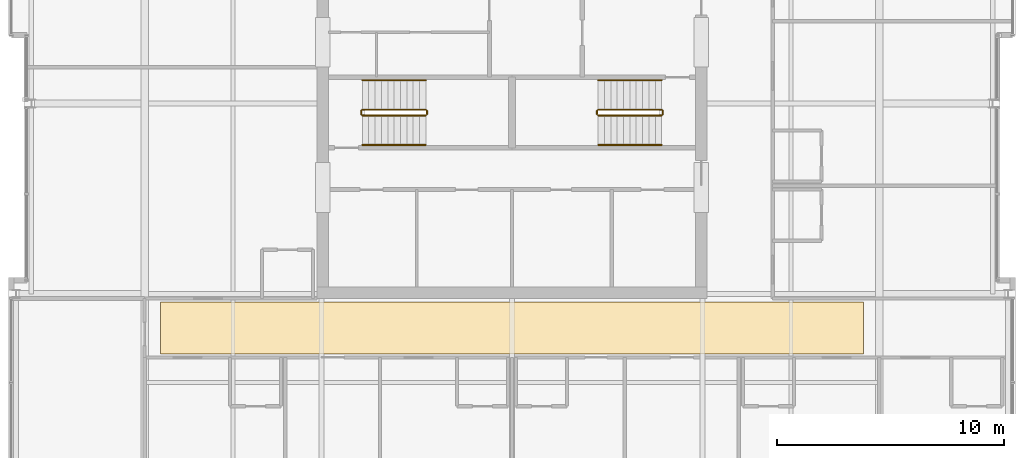
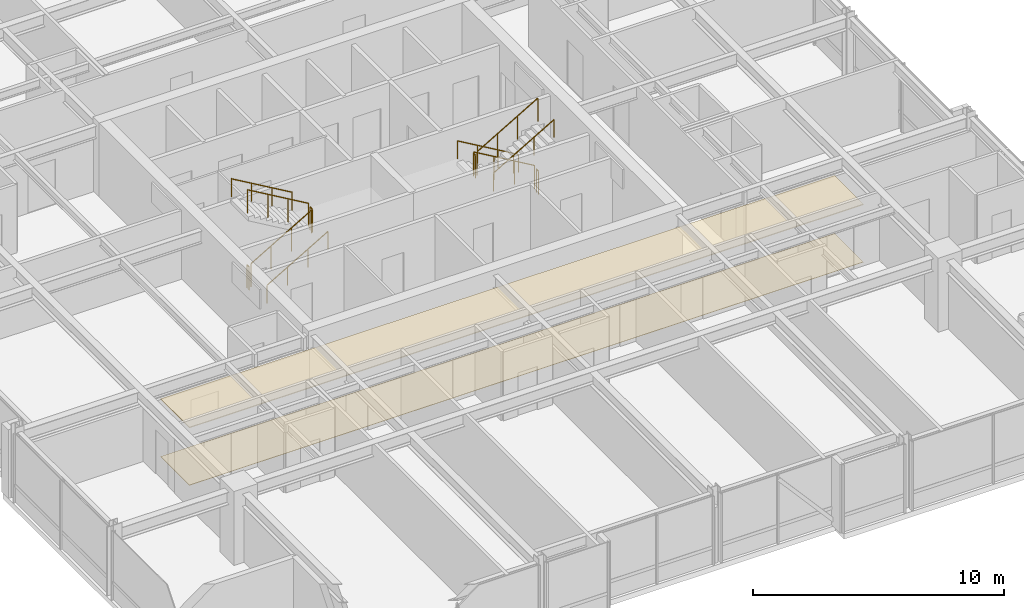
# One storey, part 32 of 33: 12 railings, 2 coverings.
"""IFC4 building model written with IfcOpenShell, lengths in metres."""

from ifc_helpers import new_model, si_unit, direction, frame, origin, origin_2d, place, context, subcontext, project, spatial, polyline, circle, outline, extrude, material, layer, layer_set, type_object, element, save


model = new_model("IFC4")

# Units and contexts
model_context = context("Model", 3, precision=1e-05, world=origin(), true_north=direction((0.0, 1.0)))
body_context = subcontext(model_context, "Body", "Model", "MODEL_VIEW")
ifc_project = project(units=[si_unit("LENGTHUNIT", "METRE"), si_unit("AREAUNIT", "SQUARE_METRE"), si_unit("VOLUMEUNIT", "CUBIC_METRE"), si_unit("PLANEANGLEUNIT", "RADIAN"), si_unit("MASSUNIT", "GRAM", prefix="KILO")], contexts=[model_context])

# Site, building, storey
site_placement = place(None, origin())
site = spatial("IfcSite", under=ifc_project, at=site_placement, CompositionType="ELEMENT")
building_placement = place(site_placement, origin())
building = spatial("IfcBuilding", under=site, at=building_placement, Name="Drelvath Grand Hotel", CompositionType="ELEMENT")
storey_placement = place(building_placement, frame((0.0, 0.0, 248.300048828125)))
storey = spatial("IfcBuildingStorey", under=building, at=storey_placement, Name="L65", CompositionType="ELEMENT", Elevation=248.300048828125)

# Railings
ifc_material_1 = material(Name="Painted Steel S275", Category="steel")
railing_type_1 = type_object("IfcRailingType", Name="Core Stair Wall Handrail 900", PredefinedType="HANDRAIL", material=ifc_material_1)
railing_1_placement = place(storey_placement, frame((-6.60009765625, 25.169921875, 0.16357421875)))
element("IfcRailing", 1, at=railing_1_placement, inside=storey, type_object=railing_type_1, Name="L65 ST-1 stair handrail 1", PredefinedType="HANDRAIL", context=body_context, shape_type="SweptSolid", body=[
    extrude(circle(Radius=0.02392578125, at=origin_2d()), frame((0.0, 0.0, 0.8759765625), z_axis=(0.863360870873, 0.0, 0.504586966384), x_axis=(0.0, 1.0, 0.0)), (0.0, 0.0, 1.0), 3.2431640625),
    extrude(circle(Radius=0.02099609375, at=origin_2d()), origin(), (0.0, 0.0, 1.0), 0.851806640625),
    extrude(circle(Radius=0.02099609375, at=origin_2d()), frame((0.933349609375, 0.0, 0.54541015625)), (0.0, 0.0, 1.0), 0.851806640625),
    extrude(circle(Radius=0.02099609375, at=origin_2d()), frame((1.86669921875, 0.0, 1.091064453125)), (0.0, 0.0, 1.0), 0.851806640625),
    extrude(circle(Radius=0.02099609375, at=origin_2d()), frame((2.800048828125, 0.0, 1.636474609375)), (0.0, 0.0, 1.0), 0.851806640625),
])
railing_2_placement = place(storey_placement, frame((-3.800048828125, 28.030029296875, 1.963623046875)))
element("IfcRailing", 2, at=railing_2_placement, inside=storey, type_object=railing_type_1, Name="L65 ST-1 stair handrail 2", PredefinedType="HANDRAIL", context=body_context, shape_type="SweptSolid", body=[
    extrude(circle(Radius=0.02392578125, at=origin_2d()), frame((0.0, 0.0, 0.8759765625), z_axis=(-0.863393664356, 0.0, 0.504530851732), x_axis=(0.0, -1.0, 0.0)), (0.0, 0.0, 1.0), 3.2431640625),
    extrude(circle(Radius=0.02099609375, at=origin_2d()), origin(), (0.0, 0.0, 1.0), 0.851806640625),
    extrude(circle(Radius=0.02099609375, at=origin_2d()), frame((-0.933349609375, 0.0, 0.54541015625)), (0.0, 0.0, 1.0), 0.851806640625),
    extrude(circle(Radius=0.02099609375, at=origin_2d()), frame((-1.86669921875, 0.0, 1.0908203125)), (0.0, 0.0, 1.0), 0.851806640625),
    extrude(circle(Radius=0.02099609375, at=origin_2d()), frame((-2.800048828125, 0.0, 1.63623046875)), (0.0, 0.0, 1.0), 0.851806640625),
])
railing_3_placement = place(storey_placement, frame((6.60009765625, 28.030029296875, 0.16357421875)))
element("IfcRailing", 3, at=railing_3_placement, inside=storey, type_object=railing_type_1, Name="L65 ST-2 stair handrail 1", PredefinedType="HANDRAIL", context=body_context, shape_type="SweptSolid", body=[
    extrude(circle(Radius=0.02392578125, at=origin_2d()), frame((0.0, 0.0, 0.8759765625), z_axis=(-0.863360870873, 0.0, 0.504586966384), x_axis=(0.0, -1.0, 0.0)), (0.0, 0.0, 1.0), 3.2431640625),
    extrude(circle(Radius=0.02099609375, at=origin_2d()), origin(), (0.0, 0.0, 1.0), 0.851806640625),
    extrude(circle(Radius=0.02099609375, at=origin_2d()), frame((-0.933349609375, 0.0, 0.54541015625)), (0.0, 0.0, 1.0), 0.851806640625),
    extrude(circle(Radius=0.02099609375, at=origin_2d()), frame((-1.86669921875, 0.0, 1.091064453125)), (0.0, 0.0, 1.0), 0.851806640625),
    extrude(circle(Radius=0.02099609375, at=origin_2d()), frame((-2.800048828125, 0.0, 1.636474609375)), (0.0, 0.0, 1.0), 0.851806640625),
])
railing_4_placement = place(storey_placement, frame((3.800048828125, 25.169921875, 1.963623046875)))
element("IfcRailing", 4, at=railing_4_placement, inside=storey, type_object=railing_type_1, Name="L65 ST-2 stair handrail 2", PredefinedType="HANDRAIL", context=body_context, shape_type="SweptSolid", body=[
    extrude(circle(Radius=0.02392578125, at=origin_2d()), frame((0.0, 0.0, 0.8759765625), z_axis=(0.863393664356, 0.0, 0.504530851732), x_axis=(0.0, 1.0, 0.0)), (0.0, 0.0, 1.0), 3.2431640625),
    extrude(circle(Radius=0.02099609375, at=origin_2d()), origin(), (0.0, 0.0, 1.0), 0.851806640625),
    extrude(circle(Radius=0.02099609375, at=origin_2d()), frame((0.933349609375, 0.0, 0.54541015625)), (0.0, 0.0, 1.0), 0.851806640625),
    extrude(circle(Radius=0.02099609375, at=origin_2d()), frame((1.86669921875, 0.0, 1.0908203125)), (0.0, 0.0, 1.0), 0.851806640625),
    extrude(circle(Radius=0.02099609375, at=origin_2d()), frame((2.800048828125, 0.0, 1.63623046875)), (0.0, 0.0, 1.0), 0.851806640625),
])
railing_type_2 = type_object("IfcRailingType", Name="Core Stair Well Guardrail 1100", PredefinedType="GUARDRAIL", material=ifc_material_1)
railing_5_placement = place(storey_placement, frame((-6.60009765625, 26.469970703125, 0.16357421875)))
element("IfcRailing", 5, at=railing_5_placement, inside=storey, type_object=railing_type_2, Name="L65 ST-1 stair guard 1", PredefinedType="GUARDRAIL", context=body_context, shape_type="SweptSolid", body=[
    extrude(circle(Radius=0.02392578125, at=origin_2d()), frame((0.0, 0.0, 1.1259765625), z_axis=(0.863360870873, 0.0, 0.504586966384), x_axis=(0.0, 1.0, 0.0)), (0.0, 0.0, 1.0), 3.2431640625),
    extrude(circle(Radius=0.02099609375, at=origin_2d()), origin(), (0.0, 0.0, 1.0), 1.101806640625),
    extrude(circle(Radius=0.02099609375, at=origin_2d()), frame((0.933349609375, 0.0, 0.54541015625)), (0.0, 0.0, 1.0), 1.101806640625),
    extrude(circle(Radius=0.02099609375, at=origin_2d()), frame((1.86669921875, 0.0, 1.091064453125)), (0.0, 0.0, 1.0), 1.101806640625),
    extrude(circle(Radius=0.02099609375, at=origin_2d()), frame((2.800048828125, 0.0, 1.636474609375)), (0.0, 0.0, 1.0), 1.101806640625),
])
railing_6_placement = place(storey_placement, frame((-3.75, 26.52001953125, 1.800048828125)))
element("IfcRailing", 6, at=railing_6_placement, inside=storey, type_object=railing_type_2, Name="L65 ST-1 stair guard 2", PredefinedType="GUARDRAIL", context=body_context, shape_type="SweptSolid", body=[
    extrude(circle(Radius=0.02392578125, at=origin_2d()), frame((0.0, 0.0, 1.1259765625), z_axis=(0.0, 1.0, 0.0), x_axis=(-1.0, 0.0, 0.0)), (0.0, 0.0, 1.0), 0.159912109375),
    extrude(circle(Radius=0.02099609375, at=origin_2d()), origin(), (0.0, 0.0, 1.0), 1.101806640625),
    extrude(circle(Radius=0.02099609375, at=origin_2d()), frame((0.0, 0.159912109375, 0.0)), (0.0, 0.0, 1.0), 1.101806640625),
])
railing_7_placement = place(storey_placement, frame((-3.800048828125, 26.72998046875, 1.963623046875)))
element("IfcRailing", 7, at=railing_7_placement, inside=storey, type_object=railing_type_2, Name="L65 ST-1 stair guard 3", PredefinedType="GUARDRAIL", context=body_context, shape_type="SweptSolid", body=[
    extrude(circle(Radius=0.02392578125, at=origin_2d()), frame((0.0, 0.0, 1.1259765625), z_axis=(-0.863393664356, 0.0, 0.504530851732), x_axis=(0.0, -1.0, 0.0)), (0.0, 0.0, 1.0), 3.2431640625),
    extrude(circle(Radius=0.02099609375, at=origin_2d()), origin(), (0.0, 0.0, 1.0), 1.101806640625),
    extrude(circle(Radius=0.02099609375, at=origin_2d()), frame((-0.933349609375, 0.0, 0.54541015625)), (0.0, 0.0, 1.0), 1.101806640625),
    extrude(circle(Radius=0.02099609375, at=origin_2d()), frame((-1.86669921875, 0.0, 1.0908203125)), (0.0, 0.0, 1.0), 1.101806640625),
    extrude(circle(Radius=0.02099609375, at=origin_2d()), frame((-2.800048828125, 0.0, 1.63623046875)), (0.0, 0.0, 1.0), 1.101806640625),
])
railing_8_placement = place(storey_placement, frame((-6.64990234375, 26.52001953125, 0.0)))
element("IfcRailing", 8, at=railing_8_placement, inside=storey, type_object=railing_type_2, Name="L65 ST-1 stair guard 4", PredefinedType="GUARDRAIL", context=body_context, shape_type="SweptSolid", body=[
    extrude(circle(Radius=0.02392578125, at=origin_2d()), frame((0.0, 0.0, 1.1259765625), z_axis=(0.0, 1.0, 0.0), x_axis=(-1.0, 0.0, 0.0)), (0.0, 0.0, 1.0), 0.159912109375),
    extrude(circle(Radius=0.02099609375, at=origin_2d()), origin(), (0.0, 0.0, 1.0), 1.101806640625),
    extrude(circle(Radius=0.02099609375, at=origin_2d()), frame((0.0, 0.159912109375, 0.0)), (0.0, 0.0, 1.0), 1.101806640625),
])
railing_9_placement = place(storey_placement, frame((6.60009765625, 26.72998046875, 0.16357421875)))
element("IfcRailing", 9, at=railing_9_placement, inside=storey, type_object=railing_type_2, Name="L65 ST-2 stair guard 1", PredefinedType="GUARDRAIL", context=body_context, shape_type="SweptSolid", body=[
    extrude(circle(Radius=0.02392578125, at=origin_2d()), frame((0.0, 0.0, 1.1259765625), z_axis=(-0.863360870873, 0.0, 0.504586966384), x_axis=(0.0, -1.0, 0.0)), (0.0, 0.0, 1.0), 3.2431640625),
    extrude(circle(Radius=0.02099609375, at=origin_2d()), origin(), (0.0, 0.0, 1.0), 1.101806640625),
    extrude(circle(Radius=0.02099609375, at=origin_2d()), frame((-0.933349609375, 0.0, 0.54541015625)), (0.0, 0.0, 1.0), 1.101806640625),
    extrude(circle(Radius=0.02099609375, at=origin_2d()), frame((-1.86669921875, 0.0, 1.091064453125)), (0.0, 0.0, 1.0), 1.101806640625),
    extrude(circle(Radius=0.02099609375, at=origin_2d()), frame((-2.800048828125, 0.0, 1.636474609375)), (0.0, 0.0, 1.0), 1.101806640625),
])
railing_10_placement = place(storey_placement, frame((3.75, 26.679931640625, 1.800048828125)))
element("IfcRailing", 10, at=railing_10_placement, inside=storey, type_object=railing_type_2, Name="L65 ST-2 stair guard 2", PredefinedType="GUARDRAIL", context=body_context, shape_type="SweptSolid", body=[
    extrude(circle(Radius=0.02392578125, at=origin_2d()), frame((0.0, 0.0, 1.1259765625), z_axis=(0.0, -1.0, 0.0), x_axis=(1.0, 0.0, 0.0)), (0.0, 0.0, 1.0), 0.159912109375),
    extrude(circle(Radius=0.02099609375, at=origin_2d()), origin(), (0.0, 0.0, 1.0), 1.101806640625),
    extrude(circle(Radius=0.02099609375, at=origin_2d()), frame((0.0, -0.159912109375, 0.0)), (0.0, 0.0, 1.0), 1.101806640625),
])
railing_11_placement = place(storey_placement, frame((3.800048828125, 26.469970703125, 1.963623046875)))
element("IfcRailing", 11, at=railing_11_placement, inside=storey, type_object=railing_type_2, Name="L65 ST-2 stair guard 3", PredefinedType="GUARDRAIL", context=body_context, shape_type="SweptSolid", body=[
    extrude(circle(Radius=0.02392578125, at=origin_2d()), frame((0.0, 0.0, 1.1259765625), z_axis=(0.863393664356, 0.0, 0.504530851732), x_axis=(0.0, 1.0, 0.0)), (0.0, 0.0, 1.0), 3.2431640625),
    extrude(circle(Radius=0.02099609375, at=origin_2d()), origin(), (0.0, 0.0, 1.0), 1.101806640625),
    extrude(circle(Radius=0.02099609375, at=origin_2d()), frame((0.933349609375, 0.0, 0.54541015625)), (0.0, 0.0, 1.0), 1.101806640625),
    extrude(circle(Radius=0.02099609375, at=origin_2d()), frame((1.86669921875, 0.0, 1.0908203125)), (0.0, 0.0, 1.0), 1.101806640625),
    extrude(circle(Radius=0.02099609375, at=origin_2d()), frame((2.800048828125, 0.0, 1.63623046875)), (0.0, 0.0, 1.0), 1.101806640625),
])
railing_12_placement = place(storey_placement, frame((6.64990234375, 26.679931640625, 0.0)))
element("IfcRailing", 12, at=railing_12_placement, inside=storey, type_object=railing_type_2, Name="L65 ST-2 stair guard 4", PredefinedType="GUARDRAIL", context=body_context, shape_type="SweptSolid", body=[
    extrude(circle(Radius=0.02392578125, at=origin_2d()), frame((0.0, 0.0, 1.1259765625), z_axis=(0.0, -1.0, 0.0), x_axis=(1.0, 0.0, 0.0)), (0.0, 0.0, 1.0), 0.159912109375),
    extrude(circle(Radius=0.02099609375, at=origin_2d()), origin(), (0.0, 0.0, 1.0), 1.101806640625),
    extrude(circle(Radius=0.02099609375, at=origin_2d()), frame((0.0, -0.159912109375, 0.0)), (0.0, 0.0, 1.0), 1.101806640625),
])

# Coverings
ifc_material_2 = material(Name="Woven Wool Broadloom Carpet")
ifc_layer_1 = layer(ifc_material_2, 0.01806640625)
ifc_layer_set_1 = layer_set([ifc_layer_1], Name="Woven Wool Broadloom Carpet")
covering_type_1 = type_object("IfcCoveringType", Name="Hospitality Broadloom Carpet 18", PredefinedType="FLOORING", material=ifc_layer_set_1)
covering_1_placement = place(storey_placement, origin())
element("IfcCovering", 13, at=covering_1_placement, inside=storey, type_object=covering_type_1, Name="L65 Upper Gallery Carpet", PredefinedType="FLOORING", context=body_context, shape_type="SweptSolid", body=[
    extrude(outline(polyline([(15.5, 15.949951171875), (15.5, 18.25), (-15.5, 18.25), (-15.5, 15.949951171875), (15.5, 15.949951171875)])), origin(), (0.0, 0.0, 1.0), 0.01806640625),
])
ifc_material_3 = material(Name="Anodised Aluminium Alloy", Category="aluminium")
ifc_layer_2 = layer(ifc_material_3, 0.0400390625)
ifc_layer_set_2 = layer_set([ifc_layer_2], Name="Anodised Aluminium Alloy")
covering_type_2 = type_object("IfcCoveringType", Name="Perforated Metal Corridor Ceiling 40", PredefinedType="CEILING", material=ifc_layer_set_2)
covering_2_placement = place(storey_placement, frame((0.0, 0.0, 2.7900390625)))
element("IfcCovering", 14, at=covering_2_placement, inside=storey, type_object=covering_type_2, Name="L65 Upper Gallery Ceiling", PredefinedType="CEILING", context=body_context, shape_type="SweptSolid", body=[
    extrude(outline(polyline([(15.5, 15.949951171875), (15.5, 18.25), (-15.5, 18.25), (-15.5, 15.949951171875), (15.5, 15.949951171875)])), origin(), (0.0, 0.0, 1.0), 0.039794921875),
])

save(model, "model.ifc")
